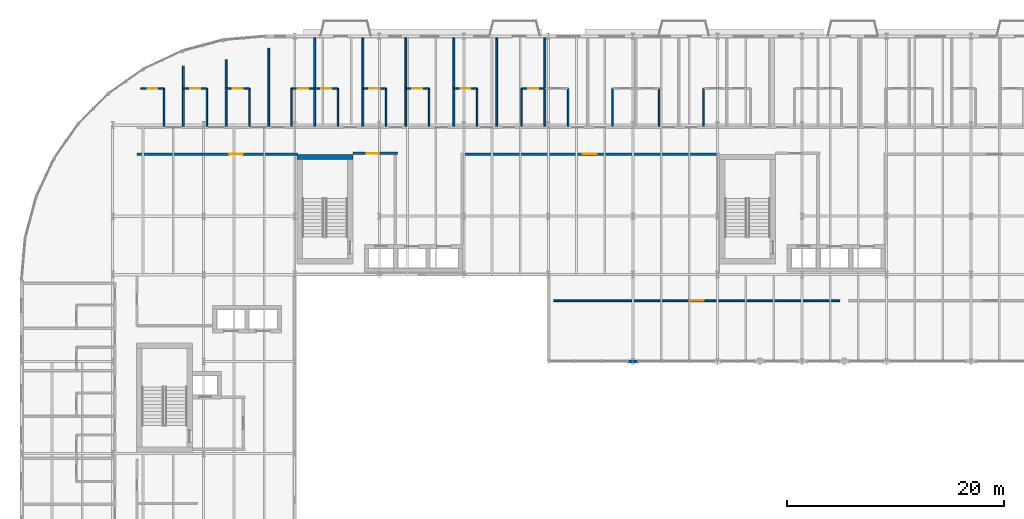
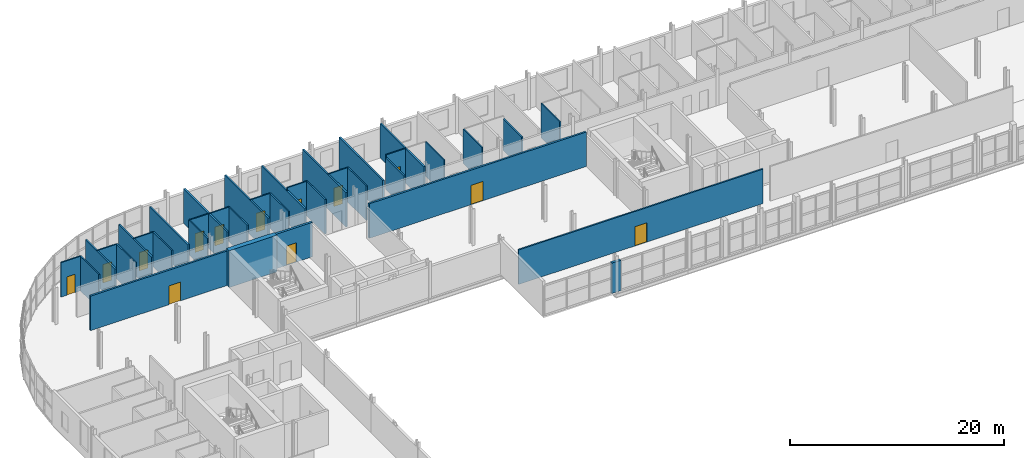
# One storey, part 33 of 45: 37 walls, 13 doors, 13 openings.
"""IFC4 building model written with IfcOpenShell, lengths in metres."""

from ifc_helpers import new_model, si_unit, direction, frame, frame_2d, origin, place, context, subcontext, project, spatial, rectangle, extrude, material, layer, layer_set, type_object, element, fill, save


model = new_model("IFC4")

# Units and contexts
model_context = context("Model", 3, precision=1e-05, world=origin(), true_north=direction((0.0, 1.0)))
body_context = subcontext(model_context, "Body", "Model", "MODEL_VIEW")
ifc_project = project(units=[si_unit("LENGTHUNIT", "METRE"), si_unit("AREAUNIT", "SQUARE_METRE"), si_unit("VOLUMEUNIT", "CUBIC_METRE"), si_unit("PLANEANGLEUNIT", "RADIAN"), si_unit("MASSUNIT", "GRAM", prefix="KILO")], contexts=[model_context])

# Site, building, storey
site_placement = place(None, origin())
site = spatial("IfcSite", under=ifc_project, at=site_placement, CompositionType="ELEMENT")
building_placement = place(site_placement, origin())
building = spatial("IfcBuilding", under=site, at=building_placement, Name="Sefraquen Railside Congress Hotel", CompositionType="ELEMENT")
storey_placement = place(building_placement, frame((0.0, 0.0, 20.39990234375)))
storey = spatial("IfcBuildingStorey", under=building, at=storey_placement, Name="L04", CompositionType="ELEMENT", Elevation=20.39990234375)

# Walls
ifc_material_1 = material(Name="Concrete C50/60", Category="concrete")
ifc_layer_1 = layer(ifc_material_1, 0.5)
ifc_layer_set_1 = layer_set([ifc_layer_1], Name="Concrete C50/60")
wall_type_1 = type_object("IfcWallType", Name="TW-CW-500", PredefinedType="SHEAR", material=ifc_layer_set_1)
wall_1_placement = place(storey_placement, frame((25.39990234375, 106.862060546875, 0.0), z_axis=(0.0, 0.0, 1.0), x_axis=(1.0, 0.0, 0.0)))
element("IfcWall", 1, at=wall_1_placement, inside=storey, type_object=wall_type_1, Name="Core shear wall ST-H02 N L04", PredefinedType="SHEAR", context=body_context, shape_type="SweptSolid", body=[
    extrude(rectangle(XDim=5.16015625, YDim=0.5, at=frame_2d((2.580078125, 0.0))), origin(), (0.0, 0.0, 1.0), 4.2001953125),
])
ifc_material_2 = material(Name="Ochre Rabat calcarenite limestone and Concrete C40/50 backing", Category="masonry")
ifc_layer_2 = layer(ifc_material_2, 0.280029296875)
ifc_layer_set_2 = layer_set([ifc_layer_2], Name="Ochre Rabat calcarenite limestone and Concrete C40/50 backing")
wall_type_2 = type_object("IfcWallType", Name="TW-EW-280", PredefinedType="STANDARD", material=ifc_layer_set_2)
wall_2_placement = place(storey_placement, frame((55.919921875, 88.0, 0.0), z_axis=(0.0, 0.0, 1.0), x_axis=(1.0, 0.0, 0.0)))
element("IfcWall", 2, at=wall_2_placement, inside=storey, type_object=wall_type_2, Name="Meeting Wing L04 courtyard north curtain wall 1 column pier closure 1", PredefinedType="STANDARD", context=body_context, shape_type="SweptSolid", body=[
    extrude(rectangle(XDim=0.9599609375, YDim=0.260009765625, at=frame_2d((0.47998046875, 0.0))), origin(), (0.0, 0.0, 1.0), 3.47998046875),
])

# Wall, opening, door
ifc_material_3 = material(Name="Concrete C40/50", Category="concrete")
ifc_layer_3 = layer(ifc_material_3, 0.239990234375)
ifc_layer_set_3 = layer_set([ifc_layer_3], Name="Concrete C40/50")
wall_type_3 = type_object("IfcWallType", Name="TW-FW-240", PredefinedType="STANDARD", material=ifc_layer_set_3)
wall_3_placement = place(storey_placement, frame((30.56005859375, 107.199951171875, 0.0), z_axis=(0.0, 0.0, 1.0), x_axis=(1.0, 0.0, 0.0)))
wall_3 = element("IfcWall", 3, at=wall_3_placement, inside=storey, type_object=wall_type_3, Name="Firefighting Lift Lobby FFL-02 EI 120 separation wall L04", PredefinedType="STANDARD", context=body_context, shape_type="SweptSolid", body=[
    extrude(rectangle(XDim=4.099853515625, YDim=0.239990234375, at=frame_2d((2.0498046875, 0.0))), origin(), (0.0, 0.0, 1.0), 3.940185546875),
])
opening_1_placement = place(wall_3_placement, frame((1.300048828125, 0.0, 0.0)))
opening_1 = element("IfcOpeningElement", 4, at=opening_1_placement, cuts=wall_3, Name="Opening FD-04", PredefinedType="OPENING", context=body_context, shape_type="SweptSolid", body=[
    extrude(rectangle(XDim=1.10009765625, YDim=2.199951171875, at=frame_2d((0.550048828125, 1.10009765625))), frame((0.0, 0.1298828125, 0.0), z_axis=(0.0, -1.0, 0.0), x_axis=(1.0, 0.0, 0.0)), (0.0, 0.0, 1.0), 0.260009765625),
])
ifc_material_4 = material(Name="Fire-rated steel", Category="steel")
door_type_1 = type_object("IfcDoorType", Name="TD-FD-04", OperationType="NOTDEFINED", PredefinedType="DOOR", material=ifc_material_4)
door_1_placement = place(opening_1_placement, origin())
door_1 = element("IfcDoor", 5, at=door_1_placement, inside=storey, type_object=door_type_1, Name="Firefighting Lift Lobby FFL-02 self-closing fire door L04", OperationType="SINGLE_SWING_RIGHT", OverallHeight=2.199951171875, OverallWidth=1.10009765625, PredefinedType="DOOR", context=body_context, shape_type="SweptSolid", body=[
    extrude(rectangle(XDim=1.10009765625, YDim=2.199951171875, at=frame_2d((0.550048828125, 1.10009765625))), frame((0.0, 0.02490234375, 0.0), z_axis=(0.0, -1.0, 0.0), x_axis=(1.0, 0.0, 0.0)), (0.0, 0.0, 1.0), 0.050048828125),
])
fill(opening_1, door_1)

# Wall
ifc_material_5 = material(Name="Moisture-resistant gypsum board", Category="gypsum")
ifc_layer_4 = layer(ifc_material_5, 0.139892578125)
ifc_layer_set_4 = layer_set([ifc_layer_4], Name="Moisture-resistant gypsum board")
wall_type_4 = type_object("IfcWallType", Name="TW-PW-140", PredefinedType="PARTITIONING", material=ifc_layer_set_4)
wall_4_placement = place(storey_placement, frame((24.889892578125, 109.699951171875, 0.0), z_axis=(0.0, 0.0, 1.0), x_axis=(0.0, 1.0, 0.0)))
element("IfcWall", 6, at=wall_4_placement, inside=storey, type_object=wall_type_4, Name="En-suite bathroom west wall RM-001", PredefinedType="PARTITIONING", context=body_context, shape_type="SweptSolid", body=[
    extrude(rectangle(XDim=3.5, YDim=0.139892578125, at=frame_2d((1.75, 0.0))), origin(), (0.0, 0.0, 1.0), 3.940185546875),
])

# Wall, opening, door
wall_5_placement = place(storey_placement, frame((24.889892578125, 113.199951171875, 0.0), z_axis=(0.0, 0.0, 1.0), x_axis=(1.0, 0.0, 0.0)))
wall_5 = element("IfcWall", 7, at=wall_5_placement, inside=storey, type_object=wall_type_4, Name="En-suite bathroom north wall RM-001", PredefinedType="PARTITIONING", context=body_context, shape_type="SweptSolid", body=[
    extrude(rectangle(XDim=2.150146484375, YDim=0.139892578125, at=frame_2d((1.0751953125, 0.0))), origin(), (0.0, 0.0, 1.0), 3.940185546875),
])
opening_2_placement = place(wall_5_placement, frame((0.60498046875, 0.0, 0.0)))
opening_2 = element("IfcOpeningElement", 8, at=opening_2_placement, cuts=wall_5, Name="Opening ID-01", PredefinedType="OPENING", context=body_context, shape_type="SweptSolid", body=[
    extrude(rectangle(XDim=0.93994140625, YDim=2.14990234375, at=frame_2d((0.469970703125, 1.074951171875))), frame((0.0, 0.079833984375, 0.0), z_axis=(0.0, -1.0, 0.0), x_axis=(1.0, 0.0, 0.0)), (0.0, 0.0, 1.0), 0.159912109375),
])
ifc_material_6 = material(Name="Lacquered cedar joinery", Category="wood")
door_type_2 = type_object("IfcDoorType", Name="TD-ID-01", OperationType="NOTDEFINED", PredefinedType="DOOR", material=ifc_material_6)
door_2_placement = place(opening_2_placement, origin())
door_2 = element("IfcDoor", 9, at=door_2_placement, inside=storey, type_object=door_type_2, Name="En-suite bathroom door RM-001", OperationType="SINGLE_SWING_RIGHT", OverallHeight=2.14990234375, OverallWidth=0.93994140625, PredefinedType="DOOR", context=body_context, shape_type="SweptSolid", body=[
    extrude(rectangle(XDim=0.93994140625, YDim=2.14990234375, at=frame_2d((0.469970703125, 1.074951171875))), frame((0.0, 0.02490234375, 0.0), z_axis=(0.0, -1.0, 0.0), x_axis=(1.0, 0.0, 0.0)), (0.0, 0.0, 1.0), 0.050048828125),
])
fill(opening_2, door_2)

# Wall
wall_6_placement = place(storey_placement, frame((29.18994140625, 109.699951171875, 0.0), z_axis=(0.0, 0.0, 1.0), x_axis=(0.0, 1.0, 0.0)))
element("IfcWall", 10, at=wall_6_placement, inside=storey, type_object=wall_type_4, Name="En-suite bathroom east wall RM-002", PredefinedType="PARTITIONING", context=body_context, shape_type="SweptSolid", body=[
    extrude(rectangle(XDim=3.5, YDim=0.139892578125, at=frame_2d((1.75, 0.0))), origin(), (0.0, 0.0, 1.0), 3.940185546875),
])

# Wall, opening, door
wall_7_placement = place(storey_placement, frame((27.0400390625, 113.199951171875, 0.0), z_axis=(0.0, 0.0, 1.0), x_axis=(1.0, 0.0, 0.0)))
wall_7 = element("IfcWall", 11, at=wall_7_placement, inside=storey, type_object=wall_type_4, Name="En-suite bathroom north wall RM-002", PredefinedType="PARTITIONING", context=body_context, shape_type="SweptSolid", body=[
    extrude(rectangle(XDim=2.14990234375, YDim=0.139892578125, at=frame_2d((1.074951171875, 0.0))), origin(), (0.0, 0.0, 1.0), 3.940185546875),
])
opening_3_placement = place(wall_7_placement, frame((0.60498046875, 0.0, 0.0)))
opening_3 = element("IfcOpeningElement", 12, at=opening_3_placement, cuts=wall_7, Name="Opening ID-01", PredefinedType="OPENING", context=body_context, shape_type="SweptSolid", body=[
    extrude(rectangle(XDim=0.93994140625, YDim=2.14990234375, at=frame_2d((0.469970703125, 1.074951171875))), frame((0.0, 0.079833984375, 0.0), z_axis=(0.0, -1.0, 0.0), x_axis=(1.0, 0.0, 0.0)), (0.0, 0.0, 1.0), 0.159912109375),
])
door_3_placement = place(opening_3_placement, origin())
door_3 = element("IfcDoor", 13, at=door_3_placement, inside=storey, type_object=door_type_2, Name="En-suite bathroom door RM-002", OperationType="SINGLE_SWING_RIGHT", OverallHeight=2.14990234375, OverallWidth=0.93994140625, PredefinedType="DOOR", context=body_context, shape_type="SweptSolid", body=[
    extrude(rectangle(XDim=0.93994140625, YDim=2.14990234375, at=frame_2d((0.469970703125, 1.074951171875))), frame((0.0, 0.02490234375, 0.0), z_axis=(0.0, -1.0, 0.0), x_axis=(1.0, 0.0, 0.0)), (0.0, 0.0, 1.0), 0.050048828125),
])
fill(opening_3, door_3)

# Wall
wall_8_placement = place(storey_placement, frame((33.6298828125, 109.699951171875, 0.0), z_axis=(0.0, 0.0, 1.0), x_axis=(0.0, 1.0, 0.0)))
element("IfcWall", 14, at=wall_8_placement, inside=storey, type_object=wall_type_4, Name="En-suite bathroom east wall RM-003", PredefinedType="PARTITIONING", context=body_context, shape_type="SweptSolid", body=[
    extrude(rectangle(XDim=3.5, YDim=0.139892578125, at=frame_2d((1.75, 0.0))), origin(), (0.0, 0.0, 1.0), 3.940185546875),
])

# Wall, opening, door
wall_9_placement = place(storey_placement, frame((31.47998046875, 113.199951171875, 0.0), z_axis=(0.0, 0.0, 1.0), x_axis=(1.0, 0.0, 0.0)))
wall_9 = element("IfcWall", 15, at=wall_9_placement, inside=storey, type_object=wall_type_4, Name="En-suite bathroom north wall RM-003", PredefinedType="PARTITIONING", context=body_context, shape_type="SweptSolid", body=[
    extrude(rectangle(XDim=2.14990234375, YDim=0.139892578125, at=frame_2d((1.074951171875, 0.0))), origin(), (0.0, 0.0, 1.0), 3.940185546875),
])
opening_4_placement = place(wall_9_placement, frame((0.60498046875, 0.0, 0.0)))
opening_4 = element("IfcOpeningElement", 16, at=opening_4_placement, cuts=wall_9, Name="Opening ID-01", PredefinedType="OPENING", context=body_context, shape_type="SweptSolid", body=[
    extrude(rectangle(XDim=0.93994140625, YDim=2.14990234375, at=frame_2d((0.469970703125, 1.074951171875))), frame((0.0, 0.079833984375, 0.0), z_axis=(0.0, -1.0, 0.0), x_axis=(1.0, 0.0, 0.0)), (0.0, 0.0, 1.0), 0.159912109375),
])
door_4_placement = place(opening_4_placement, origin())
door_4 = element("IfcDoor", 17, at=door_4_placement, inside=storey, type_object=door_type_2, Name="En-suite bathroom door RM-003", OperationType="SINGLE_SWING_RIGHT", OverallHeight=2.14990234375, OverallWidth=0.93994140625, PredefinedType="DOOR", context=body_context, shape_type="SweptSolid", body=[
    extrude(rectangle(XDim=0.93994140625, YDim=2.14990234375, at=frame_2d((0.469970703125, 1.074951171875))), frame((0.0, 0.02490234375, 0.0), z_axis=(0.0, -1.0, 0.0), x_axis=(1.0, 0.0, 0.0)), (0.0, 0.0, 1.0), 0.050048828125),
])
fill(opening_4, door_4)

# Wall
wall_10_placement = place(storey_placement, frame((37.590087890625, 109.699951171875, 0.0), z_axis=(0.0, 0.0, 1.0), x_axis=(0.0, 1.0, 0.0)))
element("IfcWall", 18, at=wall_10_placement, inside=storey, type_object=wall_type_4, Name="En-suite bathroom east wall RM-004", PredefinedType="PARTITIONING", context=body_context, shape_type="SweptSolid", body=[
    extrude(rectangle(XDim=3.5, YDim=0.139892578125, at=frame_2d((1.75, 0.0))), origin(), (0.0, 0.0, 1.0), 3.940185546875),
])

# Wall, opening, door
wall_11_placement = place(storey_placement, frame((35.43994140625, 113.199951171875, 0.0), z_axis=(0.0, 0.0, 1.0), x_axis=(1.0, 0.0, 0.0)))
wall_11 = element("IfcWall", 19, at=wall_11_placement, inside=storey, type_object=wall_type_4, Name="En-suite bathroom north wall RM-004", PredefinedType="PARTITIONING", context=body_context, shape_type="SweptSolid", body=[
    extrude(rectangle(XDim=2.150146484375, YDim=0.139892578125, at=frame_2d((1.0751953125, 0.0))), origin(), (0.0, 0.0, 1.0), 3.940185546875),
])
opening_5_placement = place(wall_11_placement, frame((0.60498046875, 0.0, 0.0)))
opening_5 = element("IfcOpeningElement", 20, at=opening_5_placement, cuts=wall_11, Name="Opening ID-01", PredefinedType="OPENING", context=body_context, shape_type="SweptSolid", body=[
    extrude(rectangle(XDim=0.93994140625, YDim=2.14990234375, at=frame_2d((0.469970703125, 1.074951171875))), frame((0.0, 0.079833984375, 0.0), z_axis=(0.0, -1.0, 0.0), x_axis=(1.0, 0.0, 0.0)), (0.0, 0.0, 1.0), 0.159912109375),
])
door_5_placement = place(opening_5_placement, origin())
door_5 = element("IfcDoor", 21, at=door_5_placement, inside=storey, type_object=door_type_2, Name="En-suite bathroom door RM-004", OperationType="SINGLE_SWING_RIGHT", OverallHeight=2.14990234375, OverallWidth=0.93994140625, PredefinedType="DOOR", context=body_context, shape_type="SweptSolid", body=[
    extrude(rectangle(XDim=0.93994140625, YDim=2.14990234375, at=frame_2d((0.469970703125, 1.074951171875))), frame((0.0, 0.02490234375, 0.0), z_axis=(0.0, -1.0, 0.0), x_axis=(1.0, 0.0, 0.0)), (0.0, 0.0, 1.0), 0.050048828125),
])
fill(opening_5, door_5)

# Wall
wall_12_placement = place(storey_placement, frame((42.030029296875, 109.699951171875, 0.0), z_axis=(0.0, 0.0, 1.0), x_axis=(0.0, 1.0, 0.0)))
element("IfcWall", 22, at=wall_12_placement, inside=storey, type_object=wall_type_4, Name="En-suite bathroom east wall RM-005", PredefinedType="PARTITIONING", context=body_context, shape_type="SweptSolid", body=[
    extrude(rectangle(XDim=3.5, YDim=0.139892578125, at=frame_2d((1.75, 0.0))), origin(), (0.0, 0.0, 1.0), 3.940185546875),
])

# Wall, opening, door
wall_13_placement = place(storey_placement, frame((39.8798828125, 113.199951171875, 0.0), z_axis=(0.0, 0.0, 1.0), x_axis=(1.0, 0.0, 0.0)))
wall_13 = element("IfcWall", 23, at=wall_13_placement, inside=storey, type_object=wall_type_4, Name="En-suite bathroom north wall RM-005", PredefinedType="PARTITIONING", context=body_context, shape_type="SweptSolid", body=[
    extrude(rectangle(XDim=2.150146484375, YDim=0.139892578125, at=frame_2d((1.0751953125, 0.0))), origin(), (0.0, 0.0, 1.0), 3.940185546875),
])
opening_6_placement = place(wall_13_placement, frame((0.625, 0.0, 0.0)))
opening_6 = element("IfcOpeningElement", 24, at=opening_6_placement, cuts=wall_13, Name="Opening ID-02", PredefinedType="OPENING", context=body_context, shape_type="SweptSolid", body=[
    extrude(rectangle(XDim=0.89990234375, YDim=2.10009765625, at=frame_2d((0.449951171875, 1.050048828125))), frame((0.0, 0.079833984375, 0.0), z_axis=(0.0, -1.0, 0.0), x_axis=(1.0, 0.0, 0.0)), (0.0, 0.0, 1.0), 0.159912109375),
])
door_type_3 = type_object("IfcDoorType", Name="TD-ID-02", OperationType="NOTDEFINED", PredefinedType="DOOR", material=ifc_material_6)
door_6_placement = place(opening_6_placement, origin())
door_6 = element("IfcDoor", 25, at=door_6_placement, inside=storey, type_object=door_type_3, Name="En-suite bathroom door RM-005", OperationType="SINGLE_SWING_RIGHT", OverallHeight=2.10009765625, OverallWidth=0.89990234375, PredefinedType="DOOR", context=body_context, shape_type="SweptSolid", body=[
    extrude(rectangle(XDim=0.89990234375, YDim=2.10009765625, at=frame_2d((0.449951171875, 1.050048828125))), frame((0.0, 0.02490234375, 0.0), z_axis=(0.0, -1.0, 0.0), x_axis=(1.0, 0.0, 0.0)), (0.0, 0.0, 1.0), 0.050048828125),
])
fill(opening_6, door_6)

# Wall
wall_14_placement = place(storey_placement, frame((46.1298828125, 109.699951171875, 0.0), z_axis=(0.0, 0.0, 1.0), x_axis=(0.0, 1.0, 0.0)))
element("IfcWall", 26, at=wall_14_placement, inside=storey, type_object=wall_type_4, Name="En-suite bathroom west wall RM-006", PredefinedType="PARTITIONING", context=body_context, shape_type="SweptSolid", body=[
    extrude(rectangle(XDim=3.5, YDim=0.139892578125, at=frame_2d((1.75, 0.0))), origin(), (0.0, 0.0, 1.0), 3.630126953125),
])

# Wall, opening, door
wall_15_placement = place(storey_placement, frame((46.1298828125, 113.199951171875, 0.0), z_axis=(0.0, 0.0, 1.0), x_axis=(1.0, 0.0, 0.0)))
wall_15 = element("IfcWall", 27, at=wall_15_placement, inside=storey, type_object=wall_type_4, Name="En-suite bathroom north wall RM-006", PredefinedType="PARTITIONING", context=body_context, shape_type="SweptSolid", body=[
    extrude(rectangle(XDim=2.150146484375, YDim=0.139892578125, at=frame_2d((1.0751953125, 0.0))), origin(), (0.0, 0.0, 1.0), 3.940185546875),
])
opening_7_placement = place(wall_15_placement, frame((0.625, 0.0, 0.0)))
opening_7 = element("IfcOpeningElement", 28, at=opening_7_placement, cuts=wall_15, Name="Opening ID-02", PredefinedType="OPENING", context=body_context, shape_type="SweptSolid", body=[
    extrude(rectangle(XDim=0.89990234375, YDim=2.10009765625, at=frame_2d((0.449951171875, 1.050048828125))), frame((0.0, 0.079833984375, 0.0), z_axis=(0.0, -1.0, 0.0), x_axis=(1.0, 0.0, 0.0)), (0.0, 0.0, 1.0), 0.159912109375),
])
door_7_placement = place(opening_7_placement, origin())
door_7 = element("IfcDoor", 29, at=door_7_placement, inside=storey, type_object=door_type_3, Name="En-suite bathroom door RM-006", OperationType="SINGLE_SWING_RIGHT", OverallHeight=2.10009765625, OverallWidth=0.89990234375, PredefinedType="DOOR", context=body_context, shape_type="SweptSolid", body=[
    extrude(rectangle(XDim=0.89990234375, YDim=2.10009765625, at=frame_2d((0.449951171875, 1.050048828125))), frame((0.0, 0.02490234375, 0.0), z_axis=(0.0, -1.0, 0.0), x_axis=(1.0, 0.0, 0.0)), (0.0, 0.0, 1.0), 0.050048828125),
])
fill(opening_7, door_7)

# Walls
for number, where, z_axis, x_axis, name in (
    (30, (50.429931640625, 109.699951171875, 0.0), (0.0, 0.0, 1.0), (0.0, 1.0, 0.0), "En-suite bathroom east wall RM-007"),
    (31, (54.530029296875, 109.699951171875, 0.0), (0.0, 0.0, 1.0), (0.0, 1.0, 0.0), "En-suite bathroom west wall RM-008"),
):
    element("IfcWall", number, at=place(storey_placement, frame(where, z_axis=z_axis, x_axis=x_axis)), inside=storey, type_object=wall_type_4, Name=name, PredefinedType="PARTITIONING", context=body_context, shape_type="SweptSolid", body=[
        extrude(rectangle(XDim=3.5, YDim=0.139892578125, at=frame_2d((1.75, 0.0))), origin(), (0.0, 0.0, 1.0), 3.940185546875),
    ])
wall_16_placement = place(storey_placement, frame((58.830078125, 109.699951171875, 0.0), z_axis=(0.0, 0.0, 1.0), x_axis=(0.0, 1.0, 0.0)))
element("IfcWall", 32, at=wall_16_placement, inside=storey, type_object=wall_type_4, Name="En-suite bathroom east wall RM-009", PredefinedType="PARTITIONING", context=body_context, shape_type="SweptSolid", body=[
    extrude(rectangle(XDim=3.5, YDim=0.139892578125, at=frame_2d((1.75, 0.0))), origin(), (0.0, 0.0, 1.0), 3.630126953125),
])
for number, where, z_axis, x_axis, name in (
    (33, (62.929931640625, 109.699951171875, 0.0), (0.0, 0.0, 1.0), (0.0, 1.0, 0.0), "En-suite bathroom west wall RM-010"),
    (34, (13.14990234375, 109.699951171875, 0.0), (0.0, 0.0, 1.0), (0.0, 1.0, 0.0), "En-suite bathroom east wall RM-032"),
):
    element("IfcWall", number, at=place(storey_placement, frame(where, z_axis=z_axis, x_axis=x_axis)), inside=storey, type_object=wall_type_4, Name=name, PredefinedType="PARTITIONING", context=body_context, shape_type="SweptSolid", body=[
        extrude(rectangle(XDim=3.5, YDim=0.139892578125, at=frame_2d((1.75, 0.0))), origin(), (0.0, 0.0, 1.0), 3.940185546875),
    ])

# Wall, opening, door
wall_17_placement = place(storey_placement, frame((11.0, 113.199951171875, 0.0), z_axis=(0.0, 0.0, 1.0), x_axis=(1.0, 0.0, 0.0)))
wall_17 = element("IfcWall", 35, at=wall_17_placement, inside=storey, type_object=wall_type_4, Name="En-suite bathroom north wall RM-032", PredefinedType="PARTITIONING", context=body_context, shape_type="SweptSolid", body=[
    extrude(rectangle(XDim=2.14990234375, YDim=0.139892578125, at=frame_2d((1.074951171875, 0.0))), origin(), (0.0, 0.0, 1.0), 3.940185546875),
])
opening_8_placement = place(wall_17_placement, frame((0.625, 0.0, 0.0)))
opening_8 = element("IfcOpeningElement", 36, at=opening_8_placement, cuts=wall_17, Name="Opening ID-02", PredefinedType="OPENING", context=body_context, shape_type="SweptSolid", body=[
    extrude(rectangle(XDim=0.89990234375, YDim=2.10009765625, at=frame_2d((0.449951171875, 1.050048828125))), frame((0.0, 0.079833984375, 0.0), z_axis=(0.0, -1.0, 0.0), x_axis=(1.0, 0.0, 0.0)), (0.0, 0.0, 1.0), 0.159912109375),
])
door_8_placement = place(opening_8_placement, origin())
door_8 = element("IfcDoor", 37, at=door_8_placement, inside=storey, type_object=door_type_3, Name="En-suite bathroom door RM-032", OperationType="SINGLE_SWING_LEFT", OverallHeight=2.10009765625, OverallWidth=0.89990234375, PredefinedType="DOOR", context=body_context, shape_type="SweptSolid", body=[
    extrude(rectangle(XDim=0.89990234375, YDim=2.10009765625, at=frame_2d((0.449951171875, 1.050048828125))), frame((0.0, 0.02490234375, 0.0), z_axis=(0.0, -1.0, 0.0), x_axis=(1.0, 0.0, 0.0)), (0.0, 0.0, 1.0), 0.050048828125),
])
fill(opening_8, door_8)

# Wall
wall_18_placement = place(storey_placement, frame((17.0830078125, 109.699951171875, 0.0), z_axis=(0.0, 0.0, 1.0), x_axis=(0.0, 1.0, 0.0)))
element("IfcWall", 38, at=wall_18_placement, inside=storey, type_object=wall_type_4, Name="En-suite bathroom east wall RM-033", PredefinedType="PARTITIONING", context=body_context, shape_type="SweptSolid", body=[
    extrude(rectangle(XDim=3.5, YDim=0.139892578125, at=frame_2d((1.75, 0.0))), origin(), (0.0, 0.0, 1.0), 3.940185546875),
])

# Wall, opening, door
wall_19_placement = place(storey_placement, frame((14.93310546875, 113.199951171875, 0.0), z_axis=(0.0, 0.0, 1.0), x_axis=(1.0, 0.0, 0.0)))
wall_19 = element("IfcWall", 39, at=wall_19_placement, inside=storey, type_object=wall_type_4, Name="En-suite bathroom north wall RM-033", PredefinedType="PARTITIONING", context=body_context, shape_type="SweptSolid", body=[
    extrude(rectangle(XDim=2.14990234375, YDim=0.139892578125, at=frame_2d((1.074951171875, 0.0))), origin(), (0.0, 0.0, 1.0), 3.940185546875),
])
opening_9_placement = place(wall_19_placement, frame((0.625, 0.0, 0.0)))
opening_9 = element("IfcOpeningElement", 40, at=opening_9_placement, cuts=wall_19, Name="Opening ID-02", PredefinedType="OPENING", context=body_context, shape_type="SweptSolid", body=[
    extrude(rectangle(XDim=0.89990234375, YDim=2.10009765625, at=frame_2d((0.449951171875, 1.050048828125))), frame((0.0, 0.079833984375, 0.0), z_axis=(0.0, -1.0, 0.0), x_axis=(1.0, 0.0, 0.0)), (0.0, 0.0, 1.0), 0.159912109375),
])
door_9_placement = place(opening_9_placement, origin())
door_9 = element("IfcDoor", 41, at=door_9_placement, inside=storey, type_object=door_type_3, Name="En-suite bathroom door RM-033", OperationType="SINGLE_SWING_RIGHT", OverallHeight=2.10009765625, OverallWidth=0.89990234375, PredefinedType="DOOR", context=body_context, shape_type="SweptSolid", body=[
    extrude(rectangle(XDim=0.89990234375, YDim=2.10009765625, at=frame_2d((0.449951171875, 1.050048828125))), frame((0.0, 0.02490234375, 0.0), z_axis=(0.0, -1.0, 0.0), x_axis=(1.0, 0.0, 0.0)), (0.0, 0.0, 1.0), 0.050048828125),
])
fill(opening_9, door_9)

# Wall
wall_20_placement = place(storey_placement, frame((21.01708984375, 109.699951171875, 0.0), z_axis=(0.0, 0.0, 1.0), x_axis=(0.0, 1.0, 0.0)))
element("IfcWall", 42, at=wall_20_placement, inside=storey, type_object=wall_type_4, Name="En-suite bathroom east wall RM-034", PredefinedType="PARTITIONING", context=body_context, shape_type="SweptSolid", body=[
    extrude(rectangle(XDim=3.5, YDim=0.139892578125, at=frame_2d((1.75, 0.0))), origin(), (0.0, 0.0, 1.0), 3.940185546875),
])

# Wall, opening, door
wall_21_placement = place(storey_placement, frame((18.866943359375, 113.199951171875, 0.0), z_axis=(0.0, 0.0, 1.0), x_axis=(1.0, 0.0, 0.0)))
wall_21 = element("IfcWall", 43, at=wall_21_placement, inside=storey, type_object=wall_type_4, Name="En-suite bathroom north wall RM-034", PredefinedType="PARTITIONING", context=body_context, shape_type="SweptSolid", body=[
    extrude(rectangle(XDim=2.150146484375, YDim=0.139892578125, at=frame_2d((1.0751953125, 0.0))), origin(), (0.0, 0.0, 1.0), 3.940185546875),
])
opening_10_placement = place(wall_21_placement, frame((0.625, 0.0, 0.0)))
opening_10 = element("IfcOpeningElement", 44, at=opening_10_placement, cuts=wall_21, Name="Opening ID-02", PredefinedType="OPENING", context=body_context, shape_type="SweptSolid", body=[
    extrude(rectangle(XDim=0.89990234375, YDim=2.10009765625, at=frame_2d((0.449951171875, 1.050048828125))), frame((0.0, 0.079833984375, 0.0), z_axis=(0.0, -1.0, 0.0), x_axis=(1.0, 0.0, 0.0)), (0.0, 0.0, 1.0), 0.159912109375),
])
door_10_placement = place(opening_10_placement, origin())
door_10 = element("IfcDoor", 45, at=door_10_placement, inside=storey, type_object=door_type_3, Name="En-suite bathroom door RM-034", OperationType="SINGLE_SWING_LEFT", OverallHeight=2.10009765625, OverallWidth=0.89990234375, PredefinedType="DOOR", context=body_context, shape_type="SweptSolid", body=[
    extrude(rectangle(XDim=0.89990234375, YDim=2.10009765625, at=frame_2d((0.449951171875, 1.050048828125))), frame((0.0, 0.02490234375, 0.0), z_axis=(0.0, -1.0, 0.0), x_axis=(1.0, 0.0, 0.0)), (0.0, 0.0, 1.0), 0.050048828125),
])
fill(opening_10, door_10)

ifc_layer_5 = layer(ifc_material_5, 0.159912109375)
ifc_layer_set_5 = layer_set([ifc_layer_5], Name="Moisture-resistant gypsum board")
wall_type_5 = type_object("IfcWallType", Name="TW-PW-160", PredefinedType="PARTITIONING", material=ifc_layer_set_5)
wall_22_placement = place(storey_placement, frame((49.10009765625, 93.60009765625, 0.0), z_axis=(0.0, 0.0, 1.0), x_axis=(1.0, 0.0, 0.0)))
wall_22 = element("IfcWall", 46, at=wall_22_placement, inside=storey, type_object=wall_type_5, Name="Workshop Suite 03 enclosure wall", PredefinedType="PARTITIONING", context=body_context, shape_type="SweptSolid", body=[
    extrude(rectangle(XDim=26.39990234375, YDim=0.159912109375, at=frame_2d((13.199951171875, 0.0))), origin(), (0.0, 0.0, 1.0), 3.940185546875),
])
opening_11_placement = place(wall_22_placement, frame((12.550048828125, 0.0, 0.0)))
opening_11 = element("IfcOpeningElement", 47, at=opening_11_placement, cuts=wall_22, Name="Opening MD-02", PredefinedType="OPENING", context=body_context, shape_type="SweptSolid", body=[
    extrude(rectangle(XDim=1.300048828125, YDim=2.199951171875, at=frame_2d((0.64990234375, 1.10009765625))), frame((0.0, 0.08984375, 0.0), z_axis=(0.0, -1.0, 0.0), x_axis=(1.0, 0.0, 0.0)), (0.0, 0.0, 1.0), 0.179931640625),
])
ifc_material_7 = material(Name="Acoustic cedar veneer", Category="wood")
door_type_4 = type_object("IfcDoorType", Name="TD-MD-02", OperationType="NOTDEFINED", PredefinedType="DOOR", material=ifc_material_7)
door_11_placement = place(opening_11_placement, origin())
door_11 = element("IfcDoor", 48, at=door_11_placement, inside=storey, type_object=door_type_4, Name="Workshop Suite 03 entrance door", OperationType="SINGLE_SWING_LEFT", OverallHeight=2.199951171875, OverallWidth=1.300048828125, PredefinedType="DOOR", context=body_context, shape_type="SweptSolid", body=[
    extrude(rectangle(XDim=1.300048828125, YDim=2.199951171875, at=frame_2d((0.64990234375, 1.10009765625))), frame((0.0, 0.02490234375, 0.0), z_axis=(0.0, -1.0, 0.0), x_axis=(1.0, 0.0, 0.0)), (0.0, 0.0, 1.0), 0.050048828125),
])
fill(opening_11, door_11)

# Walls
ifc_material_8 = material(Name="Acoustic gypsum board on metal stud", Category="gypsum")
ifc_layer_6 = layer(ifc_material_8, 0.179931640625)
ifc_layer_set_6 = layer_set([ifc_layer_6], Name="Acoustic gypsum board on metal stud")
wall_type_6 = type_object("IfcWallType", Name="TW-PW-180", PredefinedType="PARTITIONING", material=ifc_layer_set_6)
for number, where, z_axis, x_axis, name in (
    (49, (27.0400390625, 109.699951171875, 0.0), (0.0, 0.0, 1.0), (0.0, 1.0, 0.0), "Guest room demising wall RM-001"),
    (50, (31.47998046875, 109.699951171875, 0.0), (0.0, 0.0, 1.0), (0.0, 1.0, 0.0), "Guest room demising wall RM-002"),
):
    element("IfcWall", number, at=place(storey_placement, frame(where, z_axis=z_axis, x_axis=x_axis)), inside=storey, type_object=wall_type_6, Name=name, PredefinedType="PARTITIONING", context=body_context, shape_type="SweptSolid", body=[
        extrude(rectangle(XDim=8.150146484375, YDim=0.179931640625, at=frame_2d((4.0751953125, 0.0))), origin(), (0.0, 0.0, 1.0), 3.940185546875),
    ])
wall_23_placement = place(storey_placement, frame((35.43994140625, 109.699951171875, 0.0), z_axis=(0.0, 0.0, 1.0), x_axis=(0.0, 1.0, 0.0)))
element("IfcWall", 51, at=wall_23_placement, inside=storey, type_object=wall_type_6, Name="Guest room demising wall RM-003", PredefinedType="PARTITIONING", context=body_context, shape_type="SweptSolid", body=[
    extrude(rectangle(XDim=8.150146484375, YDim=0.179931640625, at=frame_2d((4.0751953125, 0.0))), origin(), (0.0, 0.0, 1.0), 3.630126953125),
])
for number, where, z_axis, x_axis, name in (
    (52, (39.8798828125, 109.699951171875, 0.0), (0.0, 0.0, 1.0), (0.0, 1.0, 0.0), "Guest room demising wall RM-004"),
    (53, (43.840087890625, 109.699951171875, 0.0), (0.0, 0.0, 1.0), (0.0, 1.0, 0.0), "Guest room demising wall RM-005"),
    (54, (48.280029296875, 109.699951171875, 0.0), (0.0, 0.0, 1.0), (0.0, 1.0, 0.0), "Guest room demising wall RM-006"),
):
    element("IfcWall", number, at=place(storey_placement, frame(where, z_axis=z_axis, x_axis=x_axis)), inside=storey, type_object=wall_type_6, Name=name, PredefinedType="PARTITIONING", context=body_context, shape_type="SweptSolid", body=[
        extrude(rectangle(XDim=8.150146484375, YDim=0.179931640625, at=frame_2d((4.0751953125, 0.0))), origin(), (0.0, 0.0, 1.0), 3.940185546875),
    ])
wall_24_placement = place(storey_placement, frame((14.93310546875, 109.699951171875, 0.0), z_axis=(0.0, 0.0, 1.0), x_axis=(0.0, 1.0, 0.0)))
element("IfcWall", 55, at=wall_24_placement, inside=storey, type_object=wall_type_6, Name="Guest room demising wall RM-032", PredefinedType="PARTITIONING", context=body_context, shape_type="SweptSolid", body=[
    extrude(rectangle(XDim=5.550048828125, YDim=0.179931640625, at=frame_2d((2.77490234375, 0.0))), origin(), (0.0, 0.0, 1.0), 3.940185546875),
])
wall_25_placement = place(storey_placement, frame((18.866943359375, 109.699951171875, 0.0), z_axis=(0.0, 0.0, 1.0), x_axis=(0.0, 1.0, 0.0)))
element("IfcWall", 56, at=wall_25_placement, inside=storey, type_object=wall_type_6, Name="Guest room demising wall RM-033", PredefinedType="PARTITIONING", context=body_context, shape_type="SweptSolid", body=[
    extrude(rectangle(XDim=6.150146484375, YDim=0.179931640625, at=frame_2d((3.0751953125, 0.0))), origin(), (0.0, 0.0, 1.0), 3.940185546875),
])
wall_26_placement = place(storey_placement, frame((22.800048828125, 109.699951171875, 0.0), z_axis=(0.0, 0.0, 1.0), x_axis=(0.0, 1.0, 0.0)))
element("IfcWall", 57, at=wall_26_placement, inside=storey, type_object=wall_type_6, Name="Guest room demising wall RM-034", PredefinedType="PARTITIONING", context=body_context, shape_type="SweptSolid", body=[
    extrude(rectangle(XDim=7.199951171875, YDim=0.179931640625, at=frame_2d((3.60009765625, 0.0))), origin(), (0.0, 0.0, 1.0), 3.940185546875),
])

# Wall, opening, door
ifc_layer_7 = layer(ifc_material_8, 0.199951171875)
ifc_layer_set_7 = layer_set([ifc_layer_7], Name="Acoustic gypsum board on metal stud")
wall_type_7 = type_object("IfcWallType", Name="TW-PW-200", PredefinedType="PARTITIONING", material=ifc_layer_set_7)
wall_27_placement = place(storey_placement, frame((10.64990234375, 107.1201171875, 0.0), z_axis=(0.0, 0.0, 1.0), x_axis=(1.0, 0.0, 0.0)))
wall_27 = element("IfcWall", 58, at=wall_27_placement, inside=storey, type_object=wall_type_7, Name="Hotel L04 south-west corridor fire-rated partition", PredefinedType="PARTITIONING", context=body_context, shape_type="SweptSolid", body=[
    extrude(rectangle(XDim=14.800048828125, YDim=0.199951171875, at=frame_2d((7.39990234375, 0.0))), origin(), (0.0, 0.0, 1.0), 3.940185546875),
])
opening_12_placement = place(wall_27_placement, frame((8.5, 0.0, 0.0)))
opening_12 = element("IfcOpeningElement", 59, at=opening_12_placement, cuts=wall_27, Name="Opening ID-05", PredefinedType="OPENING", context=body_context, shape_type="SweptSolid", body=[
    extrude(rectangle(XDim=1.25, YDim=2.14990234375, at=frame_2d((0.625, 1.074951171875))), frame((0.0, 0.10986328125, 0.0), z_axis=(0.0, -1.0, 0.0), x_axis=(1.0, 0.0, 0.0)), (0.0, 0.0, 1.0), 0.219970703125),
])
ifc_material_9 = material(Name="Brushed steel", Category="steel")
door_type_5 = type_object("IfcDoorType", Name="TD-ID-05", OperationType="NOTDEFINED", PredefinedType="DOOR", material=ifc_material_9)
door_12_placement = place(opening_12_placement, frame((1.25, 0.0, 0.0), z_axis=(0.0, 0.0, 1.0), x_axis=(-1.0, 0.0, 0.0)))
door_12 = element("IfcDoor", 60, at=door_12_placement, inside=storey, type_object=door_type_5, Name="Valet pantry service door L04", OperationType="SINGLE_SWING_RIGHT", OverallHeight=2.14990234375, OverallWidth=1.25, PredefinedType="DOOR", context=body_context, shape_type="SweptSolid", body=[
    extrude(rectangle(XDim=1.25, YDim=2.14990234375, at=frame_2d((0.625, 1.074951171875))), frame((0.0, 0.02490234375, 0.0), z_axis=(0.0, -1.0, 0.0), x_axis=(1.0, 0.0, 0.0)), (0.0, 0.0, 1.0), 0.050048828125),
])
fill(opening_12, door_12)

wall_28_placement = place(storey_placement, frame((40.760009765625, 107.1201171875, 0.0), z_axis=(0.0, 0.0, 1.0), x_axis=(1.0, 0.0, 0.0)))
wall_28 = element("IfcWall", 61, at=wall_28_placement, inside=storey, type_object=wall_type_7, Name="Hotel L04 south-mid corridor fire-rated partition", PredefinedType="PARTITIONING", context=body_context, shape_type="SweptSolid", body=[
    extrude(rectangle(XDim=23.43994140625, YDim=0.199951171875, at=frame_2d((11.719970703125, 0.0))), origin(), (0.0, 0.0, 1.0), 3.940185546875),
])
opening_13_placement = place(wall_28_placement, frame((11.0, 0.0, 0.0)))
opening_13 = element("IfcOpeningElement", 62, at=opening_13_placement, cuts=wall_28, Name="Opening MD-02", PredefinedType="OPENING", context=body_context, shape_type="SweptSolid", body=[
    extrude(rectangle(XDim=1.300048828125, YDim=2.199951171875, at=frame_2d((0.64990234375, 1.10009765625))), frame((0.0, 0.10986328125, 0.0), z_axis=(0.0, -1.0, 0.0), x_axis=(1.0, 0.0, 0.0)), (0.0, 0.0, 1.0), 0.219970703125),
])
door_13_placement = place(opening_13_placement, frame((1.300048828125, 0.0, 0.0), z_axis=(0.0, 0.0, 1.0), x_axis=(-1.0, 0.0, 0.0)))
door_13 = element("IfcDoor", 63, at=door_13_placement, inside=storey, type_object=door_type_4, Name="Delegate Conference Salon door L04", OperationType="SINGLE_SWING_LEFT", OverallHeight=2.199951171875, OverallWidth=1.300048828125, PredefinedType="DOOR", context=body_context, shape_type="SweptSolid", body=[
    extrude(rectangle(XDim=1.300048828125, YDim=2.199951171875, at=frame_2d((0.64990234375, 1.10009765625))), frame((0.0, 0.02490234375, 0.0), z_axis=(0.0, -1.0, 0.0), x_axis=(1.0, 0.0, 0.0)), (0.0, 0.0, 1.0), 0.050048828125),
])
fill(opening_13, door_13)

save(model, "model.ifc")
